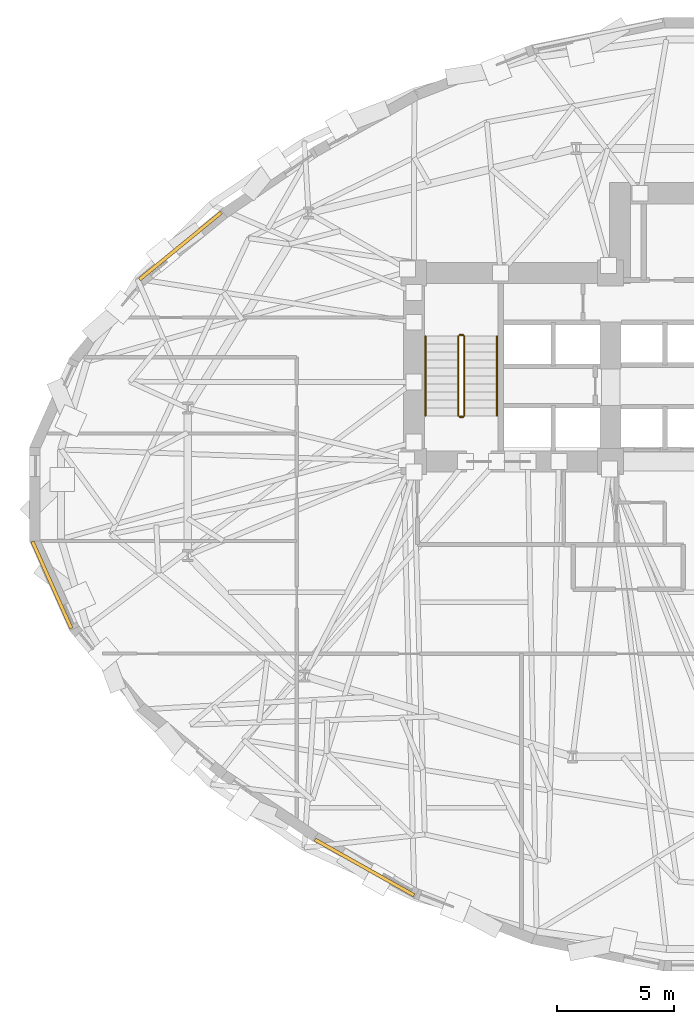
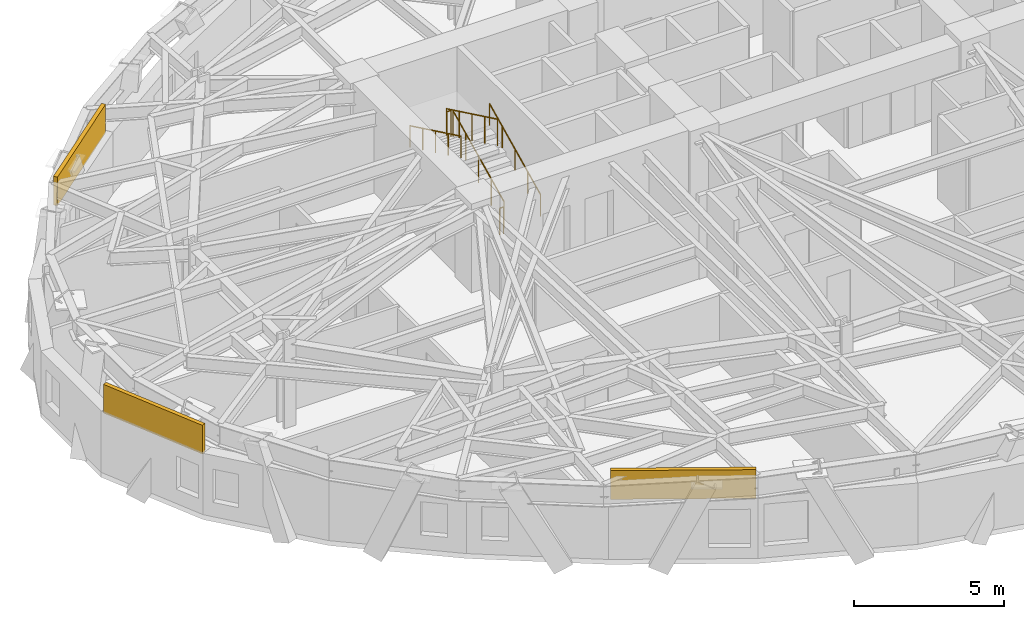
# One storey, part 11 of 14: 6 railings, 3 coverings.
"""IFC4 building model written with IfcOpenShell, lengths in metres."""

from ifc_helpers import new_model, si_unit, direction, frame, origin, origin_2d, place, context, subcontext, project, spatial, rectangle, circle, extrude, material, layer, layer_set, type_object, element, save


model = new_model("IFC4")

# Units and contexts
model_context = context("Model", 3, precision=1e-05, world=origin(), true_north=direction((0.0, 1.0)))
body_context = subcontext(model_context, "Body", "Model", "MODEL_VIEW")
ifc_project = project(units=[si_unit("LENGTHUNIT", "METRE"), si_unit("AREAUNIT", "SQUARE_METRE"), si_unit("VOLUMEUNIT", "CUBIC_METRE"), si_unit("PLANEANGLEUNIT", "RADIAN"), si_unit("MASSUNIT", "GRAM", prefix="KILO")], contexts=[model_context])

# Site, building, storey
site_placement = place(None, origin())
site = spatial("IfcSite", under=ifc_project, at=site_placement, CompositionType="ELEMENT")
building_placement = place(site_placement, origin())
building = spatial("IfcBuilding", under=site, at=building_placement, Name="Keldmark Tower", CompositionType="ELEMENT")
storey_placement = place(building_placement, frame((0.0, 0.0, 73.800048828125)))
storey = spatial("IfcBuildingStorey", under=building, at=storey_placement, Name="L19", CompositionType="ELEMENT", Elevation=73.800048828125)

# Coverings
ifc_material_1 = material(Name="Honed Kasota Buff Dolomitic Limestone", Category="masonry")
ifc_layer = layer(ifc_material_1, 0.074951171875)
ifc_layer_set = layer_set([ifc_layer], Name="Honed Kasota Buff Dolomitic Limestone")
covering_type = type_object("IfcCoveringType", Name="Kasota Buff Limestone Spandrel Cladding Band", PredefinedType="CLADDING", material=ifc_layer_set)
covering_1_placement = place(storey_placement, frame((-23.562255859375, 10.598876953125, 2.412841796875), z_axis=(0.0, 0.0, 1.0), x_axis=(-0.773773877994, -0.633461905512, 0.0)))
element("IfcCovering", 1, at=covering_1_placement, inside=storey, type_object=covering_type, Name="L19 Kasota Limestone Spandrel Band 13", PredefinedType="CLADDING", context=body_context, shape_type="SweptSolid", body=[
    extrude(rectangle(XDim=4.516845703125, YDim=0.14990234375, at=origin_2d()), origin(), (0.0, 0.0, 1.0), 1.1669921875),
])
covering_2_placement = place(storey_placement, frame((-29.050048828125, -3.8671875, 2.412841796875), z_axis=(0.0, 0.0, 1.0), x_axis=(0.408378255707, -0.912812795849, 0.0)))
element("IfcCovering", 2, at=covering_2_placement, inside=storey, type_object=covering_type, Name="L19 Kasota Limestone Spandrel Band 17", PredefinedType="CLADDING", context=body_context, shape_type="SweptSolid", body=[
    extrude(rectangle(XDim=4.06103515625, YDim=0.14990234375, at=origin_2d()), origin(), (0.0, 0.0, 1.0), 1.1669921875),
])
covering_3_placement = place(storey_placement, frame((-15.702392578125, -15.928466796875, 2.412841796875), z_axis=(0.0, 0.0, 1.0), x_axis=(0.871889845824, -0.489702048953, 0.0)))
element("IfcCovering", 3, at=covering_3_placement, inside=storey, type_object=covering_type, Name="L19 Kasota Limestone Spandrel Band 21", PredefinedType="CLADDING", context=body_context, shape_type="SweptSolid", body=[
    extrude(rectangle(XDim=4.84814453125, YDim=0.14990234375, at=origin_2d()), origin(), (0.0, 0.0, 1.0), 1.1669921875),
])

# Railings
ifc_material_2 = material(Name="Painted Steel ASTM A500 Grade B", Category="steel")
railing_type_1 = type_object("IfcRailingType", Name="Painted Steel Stair Well Guard 1100 mm", PredefinedType="GUARDRAIL", material=ifc_material_2)
railing_1_placement = place(storey_placement, frame((-11.449951171875, 3.35009765625, 0.16357421875)))
element("IfcRailing", 4, at=railing_1_placement, inside=storey, type_object=railing_type_1, Name="L19 ST1 stair guard 1", PredefinedType="GUARDRAIL", context=body_context, shape_type="SweptSolid", body=[
    extrude(circle(Radius=0.02392578125, at=origin_2d()), frame((0.0, 0.0, 1.076171875), z_axis=(0.0, 0.901055053782, 0.433704726806), x_axis=(-1.0, 0.0, 0.0)), (0.0, 0.0, 1.0), 3.773193359375),
    extrude(circle(Radius=0.02099609375, at=origin_2d()), origin(), (0.0, 0.0, 1.0), 1.052001953125),
    extrude(circle(Radius=0.02099609375, at=origin_2d()), frame((0.0, 0.85009765625, 0.4091796875)), (0.0, 0.0, 1.0), 1.052001953125),
    extrude(circle(Radius=0.02099609375, at=origin_2d()), frame((0.0, 1.699951171875, 0.818359375)), (0.0, 0.0, 1.0), 1.052001953125),
    extrude(circle(Radius=0.02099609375, at=origin_2d()), frame((0.0, 2.5498046875, 1.227294921875)), (0.0, 0.0, 1.0), 1.052001953125),
    extrude(circle(Radius=0.02099609375, at=origin_2d()), frame((0.0, 3.39990234375, 1.636474609375)), (0.0, 0.0, 1.0), 1.052001953125),
])
railing_2_placement = place(storey_placement, frame((-11.5, 6.800048828125, 1.800048828125)))
element("IfcRailing", 5, at=railing_2_placement, inside=storey, type_object=railing_type_1, Name="L19 ST1 stair guard 2", PredefinedType="GUARDRAIL", context=body_context, shape_type="SweptSolid", body=[
    extrude(circle(Radius=0.02392578125, at=origin_2d()), frame((0.0, 0.0, 1.076171875), z_axis=(-1.0, 0.0, 0.0), x_axis=(0.0, -1.0, 0.0)), (0.0, 0.0, 1.0), 0.14990234375),
    extrude(circle(Radius=0.02099609375, at=origin_2d()), origin(), (0.0, 0.0, 1.0), 1.052001953125),
    extrude(circle(Radius=0.02099609375, at=origin_2d()), frame((-0.14990234375, 0.0, 0.0)), (0.0, 0.0, 1.0), 1.052001953125),
])
railing_3_placement = place(storey_placement, frame((-11.699951171875, 6.75, 1.963623046875)))
element("IfcRailing", 6, at=railing_3_placement, inside=storey, type_object=railing_type_1, Name="L19 ST1 stair guard 3", PredefinedType="GUARDRAIL", context=body_context, shape_type="SweptSolid", body=[
    extrude(circle(Radius=0.02392578125, at=origin_2d()), frame((0.0, 0.0, 1.076171875), z_axis=(0.0, -0.901080338394, 0.433652192153), x_axis=(1.0, 0.0, 0.0)), (0.0, 0.0, 1.0), 3.773193359375),
    extrude(circle(Radius=0.02099609375, at=origin_2d()), origin(), (0.0, 0.0, 1.0), 1.052001953125),
    extrude(circle(Radius=0.02099609375, at=origin_2d()), frame((0.0, -0.85009765625, 0.4091796875)), (0.0, 0.0, 1.0), 1.052001953125),
    extrude(circle(Radius=0.02099609375, at=origin_2d()), frame((0.0, -1.699951171875, 0.818115234375)), (0.0, 0.0, 1.0), 1.052001953125),
    extrude(circle(Radius=0.02099609375, at=origin_2d()), frame((0.0, -2.5498046875, 1.22705078125)), (0.0, 0.0, 1.0), 1.052001953125),
    extrude(circle(Radius=0.02099609375, at=origin_2d()), frame((0.0, -3.39990234375, 1.63623046875)), (0.0, 0.0, 1.0), 1.052001953125),
])
railing_4_placement = place(storey_placement, frame((-11.5, 3.300048828125, 0.0)))
element("IfcRailing", 7, at=railing_4_placement, inside=storey, type_object=railing_type_1, Name="L19 ST1 stair guard 4", PredefinedType="GUARDRAIL", context=body_context, shape_type="SweptSolid", body=[
    extrude(circle(Radius=0.02392578125, at=origin_2d()), frame((0.0, 0.0, 1.076171875), z_axis=(-1.0, 0.0, 0.0), x_axis=(0.0, -1.0, 0.0)), (0.0, 0.0, 1.0), 0.14990234375),
    extrude(circle(Radius=0.02099609375, at=origin_2d()), origin(), (0.0, 0.0, 1.0), 1.052001953125),
    extrude(circle(Radius=0.02099609375, at=origin_2d()), frame((-0.14990234375, 0.0, 0.0)), (0.0, 0.0, 1.0), 1.052001953125),
])
ifc_material_3 = material(Name="Stainless Steel AISI 316L", Category="steel")
railing_type_2 = type_object("IfcRailingType", Name="Stainless Steel Stair Handrail 900 mm", PredefinedType="HANDRAIL", material=ifc_material_3)
railing_5_placement = place(storey_placement, frame((-10.050048828125, 3.35009765625, 0.16357421875)))
element("IfcRailing", 8, at=railing_5_placement, inside=storey, type_object=railing_type_2, Name="L19 ST1 stair handrail 1", PredefinedType="HANDRAIL", context=body_context, shape_type="SweptSolid", body=[
    extrude(circle(Radius=0.02392578125, at=origin_2d()), frame((0.0, 0.0, 0.8759765625), z_axis=(0.0, 0.901055053782, 0.433704726806), x_axis=(-1.0, 0.0, 0.0)), (0.0, 0.0, 1.0), 3.773193359375),
    extrude(circle(Radius=0.02099609375, at=origin_2d()), origin(), (0.0, 0.0, 1.0), 0.851806640625),
    extrude(circle(Radius=0.02099609375, at=origin_2d()), frame((0.0, 0.85009765625, 0.4091796875)), (0.0, 0.0, 1.0), 0.851806640625),
    extrude(circle(Radius=0.02099609375, at=origin_2d()), frame((0.0, 1.699951171875, 0.818359375)), (0.0, 0.0, 1.0), 0.851806640625),
    extrude(circle(Radius=0.02099609375, at=origin_2d()), frame((0.0, 2.5498046875, 1.227294921875)), (0.0, 0.0, 1.0), 0.851806640625),
    extrude(circle(Radius=0.02099609375, at=origin_2d()), frame((0.0, 3.39990234375, 1.636474609375)), (0.0, 0.0, 1.0), 0.851806640625),
])
railing_6_placement = place(storey_placement, frame((-13.10009765625, 6.75, 1.963623046875)))
element("IfcRailing", 9, at=railing_6_placement, inside=storey, type_object=railing_type_2, Name="L19 ST1 stair handrail 2", PredefinedType="HANDRAIL", context=body_context, shape_type="SweptSolid", body=[
    extrude(circle(Radius=0.02392578125, at=origin_2d()), frame((0.0, 0.0, 0.8759765625), z_axis=(0.0, -0.901080338394, 0.433652192153), x_axis=(1.0, 0.0, 0.0)), (0.0, 0.0, 1.0), 3.773193359375),
    extrude(circle(Radius=0.02099609375, at=origin_2d()), origin(), (0.0, 0.0, 1.0), 0.851806640625),
    extrude(circle(Radius=0.02099609375, at=origin_2d()), frame((0.0, -0.85009765625, 0.4091796875)), (0.0, 0.0, 1.0), 0.851806640625),
    extrude(circle(Radius=0.02099609375, at=origin_2d()), frame((0.0, -1.699951171875, 0.818115234375)), (0.0, 0.0, 1.0), 0.851806640625),
    extrude(circle(Radius=0.02099609375, at=origin_2d()), frame((0.0, -2.5498046875, 1.22705078125)), (0.0, 0.0, 1.0), 0.851806640625),
    extrude(circle(Radius=0.02099609375, at=origin_2d()), frame((0.0, -3.39990234375, 1.63623046875)), (0.0, 0.0, 1.0), 0.851806640625),
])

save(model, "model.ifc")
